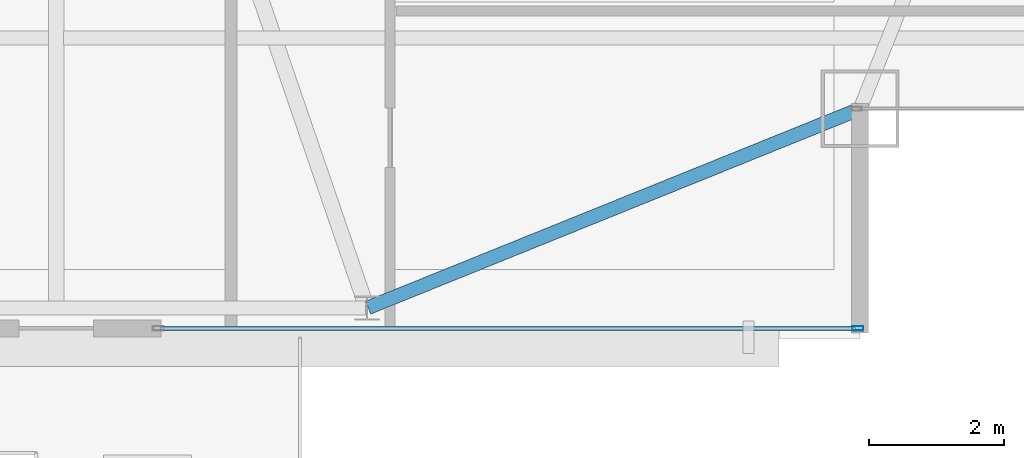
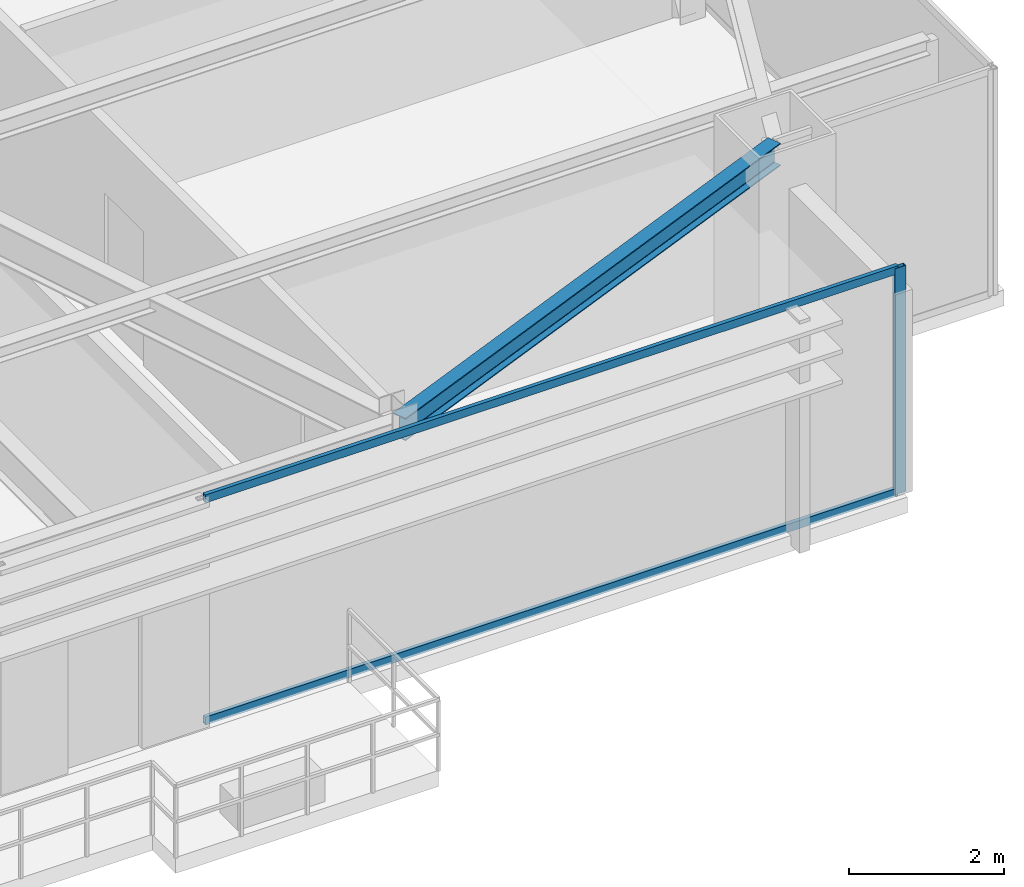
# One storey, part 13 of 31: 3 members, 1 beam, 1 element without a shape of its own.
"""IFC4 building model written with IfcOpenShell, lengths in metres."""

from ifc_helpers import new_model, si_unit, direction, frame, origin, origin_2d, place, context, subcontext, project, spatial, hollow_rectangle, i_section, extrude, source, transform, mapped, material, layer, layer_set, material_profile, profile_set, type_object, type_shapes, element, aggregate, save


model = new_model("IFC4")

# Units and contexts
model_context = context("Model", 3, precision=1e-05, world=origin(), true_north=direction((0.0, 1.0)))
body_context = subcontext(model_context, "Body", "Model", "MODEL_VIEW")
ifc_project = project(units=[si_unit("LENGTHUNIT", "METRE"), si_unit("AREAUNIT", "SQUARE_METRE"), si_unit("VOLUMEUNIT", "CUBIC_METRE"), si_unit("PLANEANGLEUNIT", "RADIAN"), si_unit("MASSUNIT", "GRAM", prefix="KILO")], contexts=[model_context])

# Site, building, storey
site_placement = place(None, origin())
site = spatial("IfcSite", under=ifc_project, at=site_placement, CompositionType="ELEMENT")
building_placement = place(site_placement, origin())
building = spatial("IfcBuilding", under=site, at=building_placement, Name="Varnel Quay Broadcast Tower", CompositionType="ELEMENT")
storey_placement = place(building_placement, frame((0.0, 0.0, 215.0)))
storey = spatial("IfcBuildingStorey", under=building, at=storey_placement, Name="L53", CompositionType="ELEMENT", Elevation=215.0)

# Beam
ifc_material_1 = material(Name="Structural Steel CSA G40.21 350W", Category="steel")
ifc_material_profile_1 = material_profile(ifc_material_1, i_section(OverallWidth=0.205078125, OverallDepth=0.35400390625, WebThickness=0.009521484375, FlangeThickness=0.016845703125, FilletRadius=0.012939453125, at=origin_2d()), Name="W360X79")
ifc_profile_set_1 = profile_set([ifc_material_profile_1], Name="Structural Steel CSA G40.21 350W")
beam_type = type_object("IfcBeamType", Name="Beam_W360X79", PredefinedType="SPANDREL", material=ifc_profile_set_1)
shared_shape_1 = source(origin(), body_context, "Body", "SweptSolid", [
    extrude(i_section(OverallWidth=0.205078125, OverallDepth=0.35400390625, WebThickness=0.009521484375, FlangeThickness=0.016845703125, FilletRadius=0.012939453125, at=origin_2d()), origin(), (0.0, 0.0, 1.0), 7.83349609375),
])
type_shapes(beam_type, [shared_shape_1])
beam_placement = place(storey_placement, frame((47.818603515625, 10.657470703125, 3.373046875), z_axis=(0.927155449606, 0.374676890489, 0.0), x_axis=(-0.374676890489, 0.927155449606, 0.0)))
element("IfcBeam", 1, at=beam_placement, inside=storey, type_object=beam_type, Name="L53 South Spandrel TC-S4-MC-SE", PredefinedType="SPANDREL", context=body_context, shape_type="MappedRepresentation", body=[
    mapped(shared_shape_1, transform((0.0, 0.0, 0.0), x_axis=(1.0, 0.0, 0.0), y_axis=(0.0, 1.0, 0.0), z_axis=(0.0, 0.0, 1.0), scale=1.0)),
])

# Curtain wall, members
ifc_material_2 = material(Name="Anodised Bronze Aluminium 6063-T6", Category="aluminium")
ifc_layer = layer(ifc_material_2, 0.18994140625, Name="Anodised Bronze Aluminium 6063-T6")
ifc_layer_set = layer_set([ifc_layer], Name="Anodised Bronze Aluminium 6063-T6")
curtain_wall_type = type_object("IfcCurtainWallType", Name="CW_UpperTower", PredefinedType="NOTDEFINED", material=ifc_layer_set)
curtain_wall_placement = place(storey_placement, origin())
curtain_wall = element("IfcCurtainWall", 2, at=curtain_wall_placement, inside=storey, type_object=curtain_wall_type, Name="L53 South Unitised Curtain Wall 3", PredefinedType="NOTDEFINED")
ifc_material_profile_2 = material_profile(ifc_material_2, hollow_rectangle(XDim=0.06494140625, YDim=0.1650390625, WallThickness=0.00341796875, at=origin_2d()), Name="ALU65X165X3.5")
ifc_profile_set_2 = profile_set([ifc_material_profile_2], Name="Anodised Bronze Aluminium 6063-T6")
member_type_1 = type_object("IfcMemberType", Name="Mull_CWS-03", PredefinedType="MULLION", material=ifc_profile_set_2)
shared_shape_2 = source(origin(), body_context, "Body", "SweptSolid", [
    extrude(hollow_rectangle(XDim=0.06494140625, YDim=0.1650390625, WallThickness=0.00341796875, at=origin_2d()), origin(), (0.0, 0.0, 1.0), 3.550048828125),
])
type_shapes(member_type_1, [shared_shape_2])
member_1_placement = place(storey_placement, frame((55.0673828125, 10.35009765625, 0.0), z_axis=(0.0, 0.0, 1.0), x_axis=(0.0, 1.0, 0.0)))
member_1 = element("IfcMember", 3, at=member_1_placement, type_object=member_type_1, Name="CWS-03 mullion 2", PredefinedType="MULLION", context=body_context, shape_type="MappedRepresentation", body=[
    mapped(shared_shape_2, transform((0.0, 0.0, 0.0), x_axis=(1.0, 0.0, 0.0), y_axis=(0.0, 1.0, 0.0), z_axis=(0.0, 0.0, 1.0), scale=1.0)),
])
ifc_material_profile_3 = material_profile(ifc_material_2, hollow_rectangle(XDim=0.06005859375, YDim=0.125, WallThickness=0.0029296875, at=origin_2d()), Name="ALU60X125X3")
ifc_profile_set_3 = profile_set([ifc_material_profile_3], Name="Anodised Bronze Aluminium 6063-T6")
member_type_2 = type_object("IfcMemberType", Name="Tran_CWS-03", PredefinedType="USERDEFINED", material=ifc_profile_set_3)
shared_shape_3 = source(origin(), body_context, "Body", "SweptSolid", [
    extrude(hollow_rectangle(XDim=0.06005859375, YDim=0.125, WallThickness=0.0029296875, at=origin_2d()), origin(), (0.0, 0.0, 1.0), 10.289794921875),
])
type_shapes(member_type_2, [shared_shape_3])
member_2_placement = place(storey_placement, frame((44.7451171875, 10.35009765625, 0.030029296875), z_axis=(1.0, 0.0, 0.0), x_axis=(0.0, 1.0, 0.0)))
member_2 = element("IfcMember", 4, at=member_2_placement, type_object=member_type_2, Name="CWS-03 transom 1.1", ObjectType="TRANSOM", PredefinedType="USERDEFINED", context=body_context, shape_type="MappedRepresentation", body=[
    mapped(shared_shape_3, transform((0.0, 0.0, 0.0), x_axis=(1.0, 0.0, 0.0), y_axis=(0.0, 1.0, 0.0), z_axis=(0.0, 0.0, 1.0), scale=1.0)),
])
member_3_placement = place(storey_placement, frame((44.7451171875, 10.35009765625, 3.52001953125), z_axis=(1.0, 0.0, 0.0), x_axis=(0.0, 1.0, 0.0)))
member_3 = element("IfcMember", 5, at=member_3_placement, type_object=member_type_2, Name="CWS-03 transom 1.2", ObjectType="TRANSOM", PredefinedType="USERDEFINED", context=body_context, shape_type="MappedRepresentation", body=[
    mapped(shared_shape_3, transform((0.0, 0.0, 0.0), x_axis=(1.0, 0.0, 0.0), y_axis=(0.0, 1.0, 0.0), z_axis=(0.0, 0.0, 1.0), scale=1.0)),
])
aggregate(curtain_wall, [member_1, member_2, member_3])

save(model, "model.ifc")
